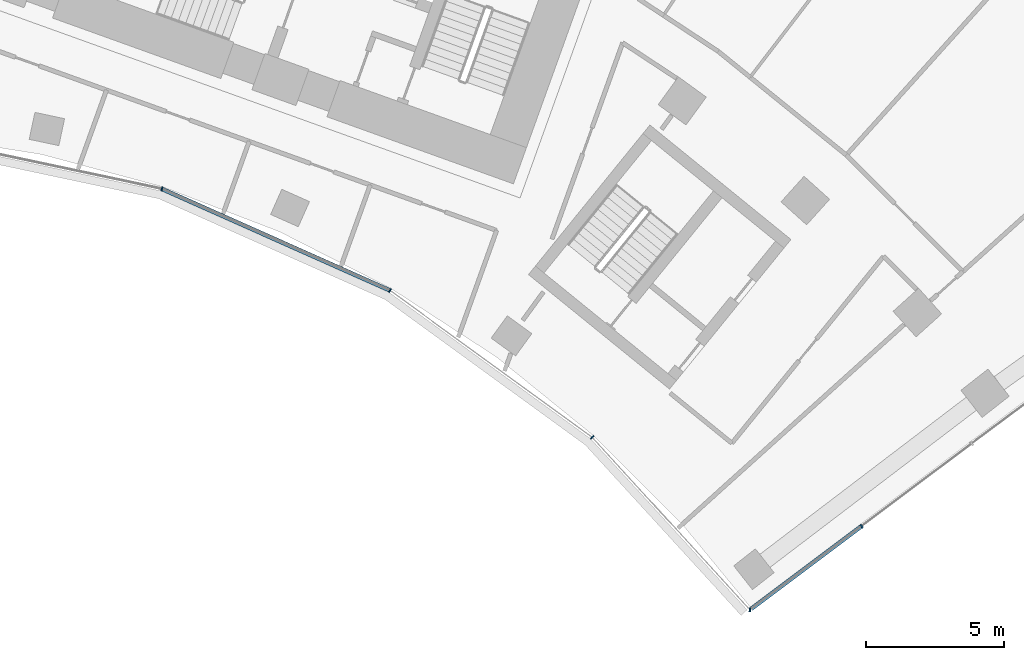
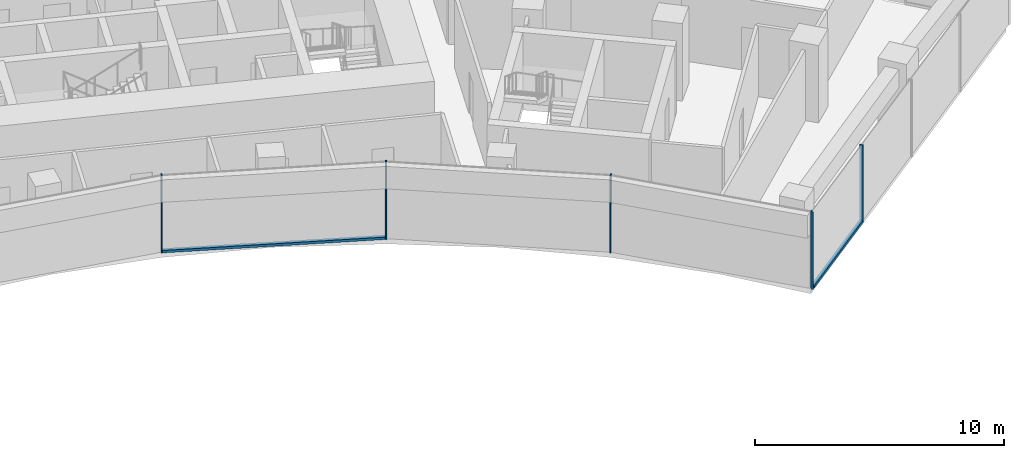
# One storey, part 8 of 20: 7 members, 2 elements without a shape of their own.
"""IFC4 building model written with IfcOpenShell, lengths in metres."""

from ifc_helpers import new_model, si_unit, direction, frame, origin, origin_2d, place, context, subcontext, project, spatial, rectangle, extrude, material, layer, layer_set, material_profile, profile_set, type_object, element, aggregate, save


model = new_model("IFC4")

# Units and contexts
model_context = context("Model", 3, precision=1e-05, world=origin(), true_north=direction((0.0, 1.0)))
body_context = subcontext(model_context, "Body", "Model", "MODEL_VIEW")
ifc_project = project(units=[si_unit("LENGTHUNIT", "METRE"), si_unit("AREAUNIT", "SQUARE_METRE"), si_unit("VOLUMEUNIT", "CUBIC_METRE"), si_unit("PLANEANGLEUNIT", "RADIAN"), si_unit("MASSUNIT", "GRAM", prefix="KILO")], contexts=[model_context])

# Site, building, storey
site_placement = place(None, origin())
site = spatial("IfcSite", under=ifc_project, at=site_placement, CompositionType="ELEMENT")
building_placement = place(site_placement, origin())
building = spatial("IfcBuilding", under=site, at=building_placement, Name="Stone Belt Terrace Tower", CompositionType="ELEMENT")
storey_placement = place(building_placement, frame((0.0, 0.0, 147.800048828125)))
storey = spatial("IfcBuildingStorey", under=building, at=storey_placement, Name="L35", CompositionType="ELEMENT", Elevation=147.800048828125)

# Curtain wall, members
ifc_material = material(Name="Aluminium 6063-T6 anodised frame", Category="aluminium")
ifc_layer_1 = layer(ifc_material, 0.14990234375)
ifc_layer_set_1 = layer_set([ifc_layer_1], Name="CW-B unitised concave-face curtain wall")
curtain_wall_type_1 = type_object("IfcCurtainWallType", Name="CW-B unitised concave-face curtain wall", PredefinedType="NOTDEFINED", material=ifc_layer_set_1)
curtain_wall_1_placement = place(storey_placement, origin())
curtain_wall_1 = element("IfcCurtainWall", 1, at=curtain_wall_1_placement, inside=storey, type_object=curtain_wall_type_1, Name="CW-B concave face L35", PredefinedType="NOTDEFINED")
ifc_material_profile_1 = material_profile(ifc_material, rectangle(XDim=0.14990234375, YDim=0.050048828125, at=origin_2d()), Name="Aluminium 6063-T6 50x150")
ifc_profile_set_1 = profile_set([ifc_material_profile_1], Name="Aluminium 6063-T6 anodised frame")
member_type_1 = type_object("IfcMemberType", Name="CW-B mullion 50 x 150", PredefinedType="MULLION", material=ifc_profile_set_1)
member_1_placement = place(storey_placement, frame((13.4189453125, 41.29931640625, 0.0), z_axis=(0.0, 0.0, 1.0), x_axis=(0.309016994375, 0.951056516295, 0.0)))
member_1 = element("IfcMember", 2, at=member_1_placement, type_object=member_type_1, Name="CW-B mullion 7", PredefinedType="MULLION", context=body_context, shape_type="SweptSolid", body=[
    extrude(rectangle(XDim=0.14990234375, YDim=0.050048828125, at=origin_2d()), origin(), (0.0, 0.0, 1.0), 3.800048828125),
])
member_2_placement = place(storey_placement, frame((21.71240234375, 37.606689453125, 0.0), z_axis=(0.0, 0.0, 1.0), x_axis=(0.5, 0.866025403784, 0.0)))
member_2 = element("IfcMember", 3, at=member_2_placement, type_object=member_type_1, Name="CW-B mullion 8", PredefinedType="MULLION", context=body_context, shape_type="SweptSolid", body=[
    extrude(rectangle(XDim=0.14990234375, YDim=0.050048828125, at=origin_2d()), origin(), (0.0, 0.0, 1.0), 3.800048828125),
])
member_3_placement = place(storey_placement, frame((29.056884765625, 32.2705078125, 0.0), z_axis=(0.0, 0.0, 1.0), x_axis=(0.666300886777, 0.745682994496, 0.0)))
member_3 = element("IfcMember", 4, at=member_3_placement, type_object=member_type_1, Name="CW-B mullion 9", PredefinedType="MULLION", context=body_context, shape_type="SweptSolid", body=[
    extrude(rectangle(XDim=0.14990234375, YDim=0.050048828125, at=origin_2d()), origin(), (0.0, 0.0, 1.0), 3.800048828125),
])
ifc_material_profile_2 = material_profile(ifc_material, rectangle(XDim=0.14990234375, YDim=0.1201171875, at=origin_2d()), Name="Aluminium 6063-T6 150x120")
ifc_profile_set_2 = profile_set([ifc_material_profile_2], Name="Aluminium 6063-T6 anodised frame")
member_type_2 = type_object("IfcMemberType", Name="CW-B transom 120 x 150", PredefinedType="USERDEFINED", material=ifc_profile_set_2)
member_4_placement = place(storey_placement, frame((13.44873046875, 41.285888671875, 0.06005859375), z_axis=(0.913548853737, -0.406729015237, 0.0), x_axis=(0.406729015237, 0.913548853737, 0.0)))
member_4 = element("IfcMember", 5, at=member_4_placement, type_object=member_type_2, Name="CW-B transom 7.1", ObjectType="TRANSOM", PredefinedType="USERDEFINED", context=body_context, shape_type="SweptSolid", body=[
    extrude(rectangle(XDim=0.14990234375, YDim=0.1201171875, at=origin_2d()), origin(), (0.0, 0.0, 1.0), 9.0126953125),
])
aggregate(curtain_wall_1, [member_1, member_2, member_3, member_4])

ifc_layer_2 = layer(ifc_material, 0.14990234375)
ifc_layer_set_2 = layer_set([ifc_layer_2], Name="CW-C stick curtain wall, horn ends and notches")
curtain_wall_type_2 = type_object("IfcCurtainWallType", Name="CW-C stick curtain wall, horn ends and notches", PredefinedType="NOTDEFINED", material=ifc_layer_set_2)
curtain_wall_2_placement = place(storey_placement, origin())
curtain_wall_2 = element("IfcCurtainWall", 6, at=curtain_wall_2_placement, inside=storey, type_object=curtain_wall_type_2, Name="CW-C end face L35", PredefinedType="NOTDEFINED")
ifc_material_profile_3 = material_profile(ifc_material, rectangle(XDim=0.14990234375, YDim=0.06005859375, at=origin_2d()), Name="Aluminium 6063-T6 60x150")
ifc_profile_set_3 = profile_set([ifc_material_profile_3], Name="Aluminium 6063-T6 anodised frame")
member_type_3 = type_object("IfcMemberType", Name="CW-C mullion 60 x 150", PredefinedType="MULLION", material=ifc_profile_set_3)
member_5_placement = place(storey_placement, frame((34.7900390625, 26.0, 0.0), z_axis=(0.0, 0.0, 1.0), x_axis=(0.093180581986, 0.995649224949, 0.0)))
member_5 = element("IfcMember", 7, at=member_5_placement, type_object=member_type_3, Name="CW-C mullion 1", PredefinedType="MULLION", context=body_context, shape_type="SweptSolid", body=[
    extrude(rectangle(XDim=0.14990234375, YDim=0.06005859375, at=origin_2d()), origin(), (0.0, 0.0, 1.0), 3.800048828125),
])
member_6_placement = place(storey_placement, frame((38.84423828125, 29.040771484375, 0.0), z_axis=(0.0, 0.0, 1.0), x_axis=(-0.600017992436, 0.799986505357, 0.0)))
member_6 = element("IfcMember", 8, at=member_6_placement, type_object=member_type_3, Name="CW-C mullion 2", PredefinedType="MULLION", context=body_context, shape_type="SweptSolid", body=[
    extrude(rectangle(XDim=0.14990234375, YDim=0.06005859375, at=origin_2d()), origin(), (0.0, 0.0, 1.0), 3.800048828125),
])
ifc_material_profile_4 = material_profile(ifc_material, rectangle(XDim=0.14990234375, YDim=0.1201171875, at=origin_2d()), Name="Aluminium 6063-T6 150x120")
ifc_profile_set_4 = profile_set([ifc_material_profile_4], Name="Aluminium 6063-T6 anodised frame")
member_type_4 = type_object("IfcMemberType", Name="CW-C transom 120 x 150", PredefinedType="USERDEFINED", material=ifc_profile_set_4)
member_7_placement = place(storey_placement, frame((34.84814453125, 26.04345703125, 0.06005859375), z_axis=(0.799964597593, 0.600047200309, 0.0), x_axis=(-0.600047200309, 0.799964597593, 0.0)))
member_7 = element("IfcMember", 9, at=member_7_placement, type_object=member_type_4, Name="CW-C transom 1.1", ObjectType="TRANSOM", PredefinedType="USERDEFINED", context=body_context, shape_type="SweptSolid", body=[
    extrude(rectangle(XDim=0.14990234375, YDim=0.1201171875, at=origin_2d()), origin(), (0.0, 0.0, 1.0), 4.96533203125),
])
aggregate(curtain_wall_2, [member_5, member_6, member_7])

save(model, "model.ifc")
